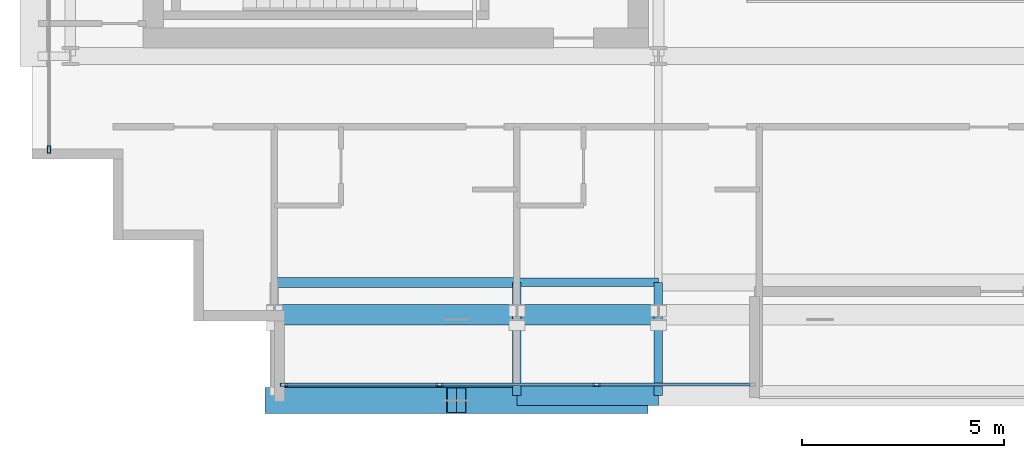
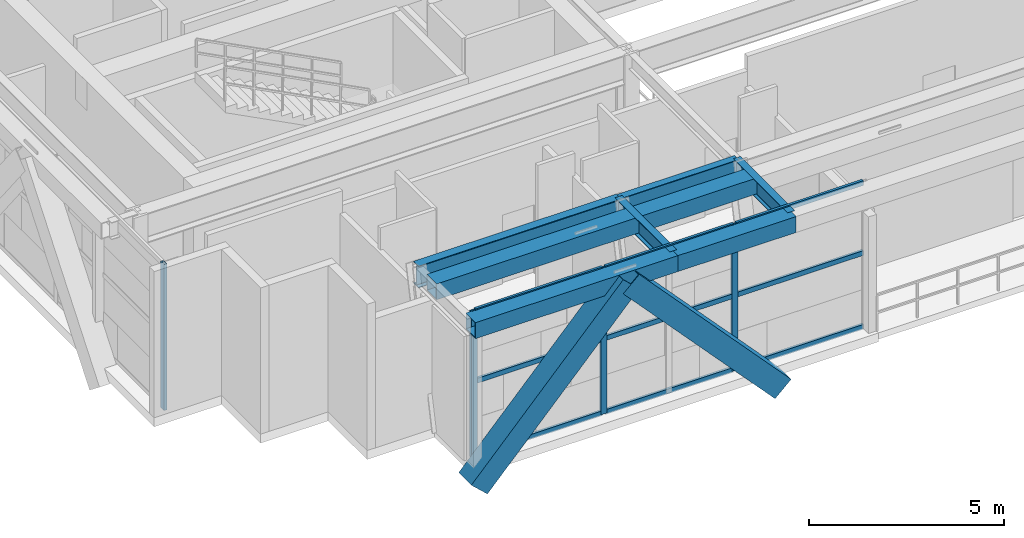
# One storey, part 2 of 31: 15 members, 8 beams, 2 elements without a shape of their own.
"""IFC4 building model written with IfcOpenShell, lengths in metres."""

import ifcopenshell
import ifcopenshell.guid

model = None  # the IFC model being written
_history = None  # IfcOwnerHistory: only IFC2X3 demands one
_inside = {}  # id of a spatial element -> (the spatial element, [elements in it])
_under = {}  # id of a project, library or spatial element -> (it, [spatial elements below it])
_declared = {}  # id of a project -> (the project, [libraries it declares])
_typed = {}  # id of a type object -> (the type object, [elements of that type])
_made_of = {}  # id of a material, layer set ... -> (it, [elements and type objects made of it])


def new_model(schema):
    """Start an empty IFC model of exactly this schema.

    Asked for "IFC4X3", IfcOpenShell would pick the latest addendum, in which some entities
    have other attributes; the version numbers below select the first issue.
    IFC2X3 requires an IfcOwnerHistory on every rooted entity: one is made here for all.
    """
    global model, _history
    if schema == "IFC4X3":
        model = ifcopenshell.file(schema_version=(4, 3, 0, 0))
    else:
        model = ifcopenshell.file(schema=schema)
    _inside.clear()
    _under.clear()
    _declared.clear()
    _typed.clear()
    _made_of.clear()
    _history = None
    if model.schema == "IFC2X3":
        org = make("IfcOrganization", Name="unknown")
        user = make(
            "IfcPersonAndOrganization",
            ThePerson=make("IfcPerson", FamilyName="unknown"),
            TheOrganization=org,
        )
        app = make(
            "IfcApplication",
            ApplicationDeveloper=org,
            Version="unknown",
            ApplicationFullName="unknown",
            ApplicationIdentifier="unknown",
        )
        _history = make(
            "IfcOwnerHistory",
            OwningUser=user,
            OwningApplication=app,
            ChangeAction="ADDED",
            CreationDate=0,
        )
    return model


def make(cls, **values):
    """One entity of the class cls with the attributes given. An attribute that is None is left unset."""
    return model.create_entity(
        cls, **{name: value for name, value in values.items() if value is not None}
    )


def rooted(cls, **values):
    """An entity with a GlobalId (a new one), such as an element, a storey or a relation."""
    return make(cls, GlobalId=ifcopenshell.guid.new(), OwnerHistory=_history, **values)


def si_unit(unit_type, name, prefix=None):
    """IfcSIUnit, for example si_unit("LENGTHUNIT", "METRE", prefix="MILLI")."""
    return make("IfcSIUnit", UnitType=unit_type, Prefix=prefix, Name=name)


def assignment(units):
    """IfcUnitAssignment: the units of a project."""
    return None if units is None else make("IfcUnitAssignment", Units=units)


def point(xyz):
    """IfcCartesianPoint."""
    return None if xyz is None else make("IfcCartesianPoint", Coordinates=xyz)


def direction(xyz):
    """IfcDirection."""
    return None if xyz is None else make("IfcDirection", DirectionRatios=xyz)


def frame(location, z_axis=None, x_axis=None):
    """IfcAxis2Placement3D, a coordinate frame: its origin and axes. An axis left out is left unset."""
    return make(
        "IfcAxis2Placement3D",
        Location=point(location),
        Axis=direction(z_axis),
        RefDirection=direction(x_axis),
    )


def frame_2d(location, x_axis=None):
    """IfcAxis2Placement2D, a coordinate frame in the plane: its origin and x axis."""
    return make(
        "IfcAxis2Placement2D", Location=point(location), RefDirection=direction(x_axis)
    )


def origin():
    """The frame at (0, 0, 0) with its axes left unset."""
    return frame((0.0, 0.0, 0.0))


def origin_2d():
    """The frame at (0, 0) in the plane with its x axis left unset."""
    return frame_2d((0.0, 0.0))


def place(relative_to, where):
    """IfcLocalPlacement: puts the frame where relative to a parent placement (None: the world)."""
    return make(
        "IfcLocalPlacement", PlacementRelTo=relative_to, RelativePlacement=where
    )


def context(
    kind, dimensions, precision=None, world=None, true_north=None, identifier=None
):
    """IfcGeometricRepresentationContext, for example the 3D "Model" context."""
    return make(
        "IfcGeometricRepresentationContext",
        ContextIdentifier=identifier,
        ContextType=kind,
        CoordinateSpaceDimension=dimensions,
        Precision=precision,
        WorldCoordinateSystem=world,
        TrueNorth=true_north,
    )


def subcontext(parent, identifier, kind, view, scale=None):
    """IfcGeometricRepresentationSubContext, for example "Body" below "Model"."""
    return make(
        "IfcGeometricRepresentationSubContext",
        ContextIdentifier=identifier,
        ContextType=kind,
        ParentContext=parent,
        TargetScale=scale,
        TargetView=view,
    )


def project(units=None, contexts=None):
    """IfcProject with its units and contexts."""
    return rooted(
        "IfcProject",
        Name="project",
        RepresentationContexts=contexts,
        UnitsInContext=assignment(units),
    )


def spatial(cls, under=None, at=None, **own):
    """A site, building, storey or space (cls), placed at a placement, below another one or the project."""
    s = rooted(cls, ObjectPlacement=at, **own)
    if under is not None:
        _under.setdefault(under.id(), (under, []))[1].append(s)
    return s


def profile(cls, at=None, kind="AREA", **sizes):
    """A parametric profile (cls). Its sizes go by their IFC names, for example OverallWidth=200.0."""
    return make(cls, ProfileType=kind, Position=at, **sizes)


def hollow_rectangle(**sizes):
    """IfcRectangleHollowProfileDef."""
    return profile("IfcRectangleHollowProfileDef", **sizes)


def i_section(**sizes):
    """IfcIShapeProfileDef."""
    return profile("IfcIShapeProfileDef", **sizes)


def extrude(swept, where, along, depth):
    """IfcExtrudedAreaSolid: the profile swept, set in the frame where, extruded along a direction by depth."""
    return make(
        "IfcExtrudedAreaSolid",
        SweptArea=swept,
        Position=where,
        ExtrudedDirection=direction(along),
        Depth=depth,
    )


def shape(context_of_items, identifier, shape_type, items):
    """IfcShapeRepresentation: the items that make up one representation, for example the "Body"."""
    return make(
        "IfcShapeRepresentation",
        ContextOfItems=context_of_items,
        RepresentationIdentifier=identifier,
        RepresentationType=shape_type,
        Items=items,
    )


def source(mapping_origin, context_of_items, identifier, shape_type, items):
    """IfcRepresentationMap: a shape defined once, which mapped items show again and again."""
    return make(
        "IfcRepresentationMap",
        MappingOrigin=mapping_origin,
        MappedRepresentation=shape(context_of_items, identifier, shape_type, items),
    )


def transform(
    local_origin,
    x_axis=None,
    y_axis=None,
    z_axis=None,
    scale=None,
    scale2=None,
    scale3=None,
    uniform=True,
):
    """IfcCartesianTransformationOperator3D, or its non-uniform kind. x_axis, y_axis, z_axis: its Axis1, 2, 3."""
    if uniform:
        return make(
            "IfcCartesianTransformationOperator3D",
            Axis1=direction(x_axis),
            Axis2=direction(y_axis),
            LocalOrigin=point(local_origin),
            Scale=scale,
            Axis3=direction(z_axis),
        )
    return make(
        "IfcCartesianTransformationOperator3DnonUniform",
        Axis1=direction(x_axis),
        Axis2=direction(y_axis),
        LocalOrigin=point(local_origin),
        Scale=scale,
        Axis3=direction(z_axis),
        Scale2=scale2,
        Scale3=scale3,
    )


def mapped(mapping_source, mapping_target):
    """IfcMappedItem: shows the shape of a source again, moved by a transform."""
    return make(
        "IfcMappedItem", MappingSource=mapping_source, MappingTarget=mapping_target
    )


def material(Name=None, Category=None):
    """IfcMaterial."""
    return make("IfcMaterial", Name=Name, Category=Category)


def layer(
    of_material, thickness, ventilated=None, Name=None, Category=None, Priority=None
):
    """IfcMaterialLayer: one layer of a wall or slab, of a material (None: an air gap)."""
    return make(
        "IfcMaterialLayer",
        Material=of_material,
        LayerThickness=thickness,
        IsVentilated=ventilated,
        Name=Name,
        Category=Category,
        Priority=Priority,
    )


def layer_set(layers, Name=None):
    """IfcMaterialLayerSet."""
    return make("IfcMaterialLayerSet", MaterialLayers=layers, LayerSetName=Name)


def material_profile(
    of_material, cross_section, Name=None, Category=None, Priority=None
):
    """IfcMaterialProfile: a cross section and its material."""
    return make(
        "IfcMaterialProfile",
        Name=Name,
        Material=of_material,
        Profile=cross_section,
        Priority=Priority,
        Category=Category,
    )


def profile_set(profiles, Name=None, composite=None):
    """IfcMaterialProfileSet."""
    return make(
        "IfcMaterialProfileSet",
        Name=Name,
        MaterialProfiles=profiles,
        CompositeProfile=composite,
    )


def made_of(thing, what):
    """Note that an element or type object is made of a material, layer set ...; save() writes the relation."""
    if what is not None:
        _made_of.setdefault(what.id(), (what, []))[1].append(thing)
    return thing


def type_object(cls, material=None, **own):
    """A type object (cls), such as IfcWallType, which elements share."""
    return made_of(rooted(cls, **own), material)


def element(
    cls,
    number,
    at=None,
    inside=None,
    cuts=None,
    type_object=None,
    material=None,
    context=None,
    identifier="Body",
    shape_type=None,
    held_by="IfcProductDefinitionShape",
    body=None,
    shapes=None,
    **own,
):
    """One element of the class cls, such as IfcWall. Its Tag is "e" and its number.

    at: its placement. inside: the storey or other place that contains it. cuts: it is an
    opening in that element (IfcRelVoidsElement). A single representation is given by context,
    identifier, shape_type and body (its items); several are given by shapes. held_by: the class
    of the entity that holds the representations. save() writes the other relations.
    """
    e = rooted(cls, Tag="e%d" % number, ObjectPlacement=at, **own)
    if body is not None:
        shapes = [shape(context, identifier, shape_type, body)]
    if shapes is not None:
        e.Representation = make(held_by, Representations=shapes)
    if inside is not None:
        _inside.setdefault(inside.id(), (inside, []))[1].append(e)
    if cuts is not None:
        rooted(
            "IfcRelVoidsElement", RelatingBuildingElement=cuts, RelatedOpeningElement=e
        )
    if type_object is not None:
        _typed.setdefault(type_object.id(), (type_object, []))[1].append(e)
    return made_of(e, material)


def aggregate(whole, parts):
    """IfcRelAggregates: a whole, such as a stair, and the parts it consists of."""
    return rooted("IfcRelAggregates", RelatingObject=whole, RelatedObjects=parts)


def save(model, path):
    """Write the relations noted so far, then the file.

    IfcRelAggregates (storeys below a building ...), IfcRelContainedInSpatialStructure (elements
    in a storey), IfcRelDefinesByType, IfcRelAssociatesMaterial and IfcRelDeclares: one each for
    every whole, place, type object, material and project.
    """
    for whole, parts in _under.values():
        aggregate(whole, parts)
    for where, things in _inside.values():
        rooted(
            "IfcRelContainedInSpatialStructure",
            RelatedElements=things,
            RelatingStructure=where,
        )
    for kind, things in _typed.values():
        rooted("IfcRelDefinesByType", RelatedObjects=things, RelatingType=kind)
    for what, things in _made_of.values():
        rooted("IfcRelAssociatesMaterial", RelatedObjects=things, RelatingMaterial=what)
    for by, libraries in _declared.values():
        rooted("IfcRelDeclares", RelatingContext=by, RelatedDefinitions=libraries)
    model.write(path)


model = new_model("IFC4")

# Units and contexts
model_context = context("Model", 3, precision=1e-05, world=origin(), true_north=direction((0.0, 1.0)))
body_context = subcontext(model_context, "Body", "Model", "MODEL_VIEW")
ifc_project = project(units=[si_unit("LENGTHUNIT", "METRE"), si_unit("AREAUNIT", "SQUARE_METRE"), si_unit("VOLUMEUNIT", "CUBIC_METRE"), si_unit("PLANEANGLEUNIT", "RADIAN"), si_unit("MASSUNIT", "GRAM", prefix="KILO")], contexts=[model_context])

# Site, building, storey
site_placement = place(None, origin())
site = spatial("IfcSite", under=ifc_project, at=site_placement, CompositionType="ELEMENT")
building_placement = place(site_placement, origin())
building = spatial("IfcBuilding", under=site, at=building_placement, Name="Ocotamira Hotel", CompositionType="ELEMENT")
storey_placement = place(building_placement, frame((0.0, 0.0, 228.0)))
storey = spatial("IfcBuildingStorey", under=building, at=storey_placement, Name="L57", CompositionType="ELEMENT", Elevation=228.0)

# Beams
ifc_material_1 = material(Name="Steel ASTM A992 Grade 50", Category="steel")
ifc_material_profile_1 = material_profile(ifc_material_1, i_section(OverallWidth=0.256103515625, OverallDepth=0.693115234375, WebThickness=0.014404296875, FlangeThickness=0.023681640625, FilletRadius=0.01611328125, at=origin_2d()), Name="W27X114")
ifc_profile_set_1 = profile_set([ifc_material_profile_1], Name="Steel ASTM A992 Grade 50")
beam_type_1 = type_object("IfcBeamType", Name="BM-PRIM-W27X114", PredefinedType="BEAM", material=ifc_profile_set_1)
shared_shape_1 = source(origin(), body_context, "Body", "SweptSolid", [
    extrude(i_section(OverallWidth=0.256103515625, OverallDepth=0.693115234375, WebThickness=0.014404296875, FlangeThickness=0.023681640625, FilletRadius=0.01611328125, at=origin_2d()), origin(), (0.0, 0.0, 1.0), 6.0),
])
beam_1_placement = place(storey_placement, frame((14.0, 8.949951171875, 4.2333984375), z_axis=(1.0, 0.0, 0.0), x_axis=(0.0, 1.0, 0.0)))
element("IfcBeam", 1, at=beam_1_placement, inside=storey, type_object=beam_type_1, Name="L57 Girder Y8.95 X14-20", PredefinedType="BEAM", context=body_context, shape_type="MappedRepresentation", body=[
    mapped(shared_shape_1, transform((0.0, 0.0, 0.0), scale=1.0)),
])
ifc_material_profile_2 = material_profile(ifc_material_1, i_section(OverallWidth=0.2099609375, OverallDepth=0.537109375, WebThickness=0.010986328125, FlangeThickness=0.017333984375, FilletRadius=0.012939453125, at=origin_2d()), Name="W21X68")
ifc_profile_set_2 = profile_set([ifc_material_profile_2], Name="Steel ASTM A992 Grade 50")
beam_type_2 = type_object("IfcBeamType", Name="BM-SEC-W21X68", PredefinedType="JOIST", material=ifc_profile_set_2)
shared_shape_2 = source(origin(), body_context, "Body", "SweptSolid", [
    extrude(i_section(OverallWidth=0.2099609375, OverallDepth=0.537109375, WebThickness=0.010986328125, FlangeThickness=0.017333984375, FilletRadius=0.012939453125, at=origin_2d()), origin(), (0.0, 0.0, 1.0), 3.5),
])
beam_2_placement = place(storey_placement, frame((20.0, 8.949951171875, 4.3115234375), z_axis=(1.0, 0.0, 0.0), x_axis=(0.0, 1.0, 0.0)))
element("IfcBeam", 2, at=beam_2_placement, inside=storey, type_object=beam_type_2, Name="L57 Girder Y8.95 X20-23.5", PredefinedType="JOIST", context=body_context, shape_type="MappedRepresentation", body=[
    mapped(shared_shape_2, transform((0.0, 0.0, 0.0), scale=1.0)),
])
ifc_material_2 = material(Name="Steel ASTM A500 Grade C", Category="steel")
ifc_material_profile_3 = material_profile(ifc_material_2, hollow_rectangle(XDim=0.5, YDim=0.5, WallThickness=0.02001953125, at=origin_2d()), Name="HSS500X500X20")
ifc_profile_set_3 = profile_set([ifc_material_profile_3], Name="Steel ASTM A500 Grade C")
beam_type_3 = type_object("IfcBeamType", Name="BM-SPAN-HSS500", PredefinedType="USERDEFINED", material=ifc_profile_set_3)
shared_shape_3 = source(origin(), body_context, "Body", "SweptSolid", [
    extrude(hollow_rectangle(XDim=0.5, YDim=0.5, WallThickness=0.02001953125, at=origin_2d()), origin(), (0.0, 0.0, 1.0), 6.0),
])
for number, where, z_axis, x_axis, name in (
    (3, (14.0, 8.14990234375, 4.330078125), (1.0, 0.0, 0.0), (0.0, 1.0, 0.0), "L57 Inner Setback Spandrel S X14"),
    (4, (14.0, 6.14990234375, 4.330078125), (1.0, 0.0, 0.0), (0.0, 1.0, 0.0), "L57 Edge Spandrel S X14-20"),
):
    element("IfcBeam", number, at=place(storey_placement, frame(where, z_axis=z_axis, x_axis=x_axis)), inside=storey, type_object=beam_type_3, Name=name, ObjectType="SPANDREL", PredefinedType="USERDEFINED", context=body_context, shape_type="MappedRepresentation", body=[
        mapped(shared_shape_3, transform((0.0, 0.0, 0.0), scale=1.0)),
    ])
shared_shape_4 = source(origin(), body_context, "Body", "SweptSolid", [
    extrude(hollow_rectangle(XDim=0.5, YDim=0.5, WallThickness=0.02001953125, at=origin_2d()), origin(), (0.0, 0.0, 1.0), 3.5),
])
for number, where, z_axis, x_axis, name in (
    (5, (20.0, 8.14990234375, 4.330078125), (1.0, 0.0, 0.0), (0.0, 1.0, 0.0), "L57 Inner Setback Spandrel S X20"),
    (6, (20.0, 6.14990234375, 4.330078125), (1.0, 0.0, 0.0), (0.0, 1.0, 0.0), "L57 Edge Spandrel S X20-23.5"),
):
    element("IfcBeam", number, at=place(storey_placement, frame(where, z_axis=z_axis, x_axis=x_axis)), inside=storey, type_object=beam_type_3, Name=name, ObjectType="SPANDREL", PredefinedType="USERDEFINED", context=body_context, shape_type="MappedRepresentation", body=[
        mapped(shared_shape_4, transform((0.0, 0.0, 0.0), scale=1.0)),
    ])
shared_shape_5 = source(origin(), body_context, "Body", "SweptSolid", [
    extrude(i_section(OverallWidth=0.2099609375, OverallDepth=0.537109375, WebThickness=0.010986328125, FlangeThickness=0.017333984375, FilletRadius=0.012939453125, at=origin_2d()), origin(), (0.0, 0.0, 1.0), 2.800048828125),
])
for number, where, z_axis, x_axis, name in (
    (7, (20.0, 8.949951171875, 4.3115234375), (0.0, -1.0, 0.0), (1.0, 0.0, 0.0), "L57 South Edge Header X20"),
    (8, (23.5, 8.949951171875, 4.3115234375), (0.0, -1.0, 0.0), (1.0, 0.0, 0.0), "L57 South Edge Header X23.5"),
):
    element("IfcBeam", number, at=place(storey_placement, frame(where, z_axis=z_axis, x_axis=x_axis)), inside=storey, type_object=beam_type_2, Name=name, PredefinedType="JOIST", context=body_context, shape_type="MappedRepresentation", body=[
        mapped(shared_shape_5, transform((0.0, 0.0, 0.0), scale=1.0)),
    ])

# Members
ifc_material_3 = material(Name="Pale-metal coated steel ASTM A913 Grade 65", Category="steel")
ifc_material_profile_4 = material_profile(ifc_material_3, hollow_rectangle(XDim=0.64990234375, YDim=0.64990234375, WallThickness=0.02197265625, at=origin_2d()), Name="BOX650X650X22")
ifc_profile_set_4 = profile_set([ifc_material_profile_4], Name="Pale-metal coated steel ASTM A913 Grade 65")
member_type_1 = type_object("IfcMemberType", Name="MEM-EXO-BOX650", PredefinedType="BRACE", material=ifc_profile_set_4)
shared_shape_6 = source(origin(), body_context, "Body", "SweptSolid", [
    extrude(hollow_rectangle(XDim=0.64990234375, YDim=0.64990234375, WallThickness=0.02197265625, at=origin_2d()), origin(), (0.0, 0.0, 1.0), 6.62353515625),
])
for number, where, z_axis, x_axis, name in (
    (9, (14.0, 6.030029296875, -0.530029296875), (0.679399946256, 0.0, 0.733768160271), (0.0, 1.0, 0.0), "L57 Exoskeleton Diagrid S0.1"),
    (10, (23.0, 6.030029296875, -0.530029296875), (-0.679399946256, 0.0, 0.733768160271), (0.0, -1.0, 0.0), "L57 Exoskeleton Diagrid S0.2"),
):
    element("IfcMember", number, at=place(storey_placement, frame(where, z_axis=z_axis, x_axis=x_axis)), inside=storey, type_object=member_type_1, Name=name, PredefinedType="BRACE", context=body_context, shape_type="MappedRepresentation", body=[
        mapped(shared_shape_6, transform((0.0, 0.0, 0.0), scale=1.0)),
    ])

# Curtain wall, members
ifc_material_4 = material(Name="Anodised pale-metal aluminium and solar glass", Category="aluminium")
ifc_layer = layer(ifc_material_4, 0.239990234375)
ifc_layer_set = layer_set([ifc_layer], Name="Anodised pale-metal aluminium and solar glass")
curtain_wall_type = type_object("IfcCurtainWallType", Name="CW-SYS5-SKY", PredefinedType="NOTDEFINED", material=ifc_layer_set)
curtain_wall_1_placement = place(storey_placement, origin())
curtain_wall_1 = element("IfcCurtainWall", 11, at=curtain_wall_1_placement, inside=storey, type_object=curtain_wall_type, Name="L57 Curtain Wall CW-5 CW-L57-S1", PredefinedType="NOTDEFINED")
ifc_material_5 = material(Name="Anodised pale-metal aluminium 6063-T6", Category="aluminium")
ifc_material_profile_5 = material_profile(ifc_material_5, hollow_rectangle(XDim=0.074951171875, YDim=0.14990234375, WallThickness=0.006103515625, at=origin_2d()), Name="HSS150X75X6")
ifc_profile_set_5 = profile_set([ifc_material_profile_5], Name="Anodised pale-metal aluminium 6063-T6")
member_type_2 = type_object("IfcMemberType", Name="CWT-150X75", PredefinedType="USERDEFINED", material=ifc_profile_set_5)
shared_shape_7 = source(origin(), body_context, "Body", "SweptSolid", [
    extrude(hollow_rectangle(XDim=0.074951171875, YDim=0.14990234375, WallThickness=0.006103515625, at=origin_2d()), origin(), (0.0, 0.0, 1.0), 3.76318359375),
])
member_1_placement = place(storey_placement, frame((14.280029296875, 6.419921875, 0.03759765625), z_axis=(1.0, 0.0, 0.0), x_axis=(0.0, 1.0, 0.0)))
member_1 = element("IfcMember", 12, at=member_1_placement, type_object=member_type_2, Name="CW-5 transom 1.1", ObjectType="TRANSOM", PredefinedType="USERDEFINED", context=body_context, shape_type="MappedRepresentation", body=[
    mapped(shared_shape_7, transform((0.0, 0.0, 0.0), scale=1.0)),
])
member_2_placement = place(storey_placement, frame((14.280029296875, 6.419921875, 2.35009765625), z_axis=(1.0, 0.0, 0.0), x_axis=(0.0, 1.0, 0.0)))
member_2 = element("IfcMember", 13, at=member_2_placement, type_object=member_type_2, Name="CW-5 transom 1.2", ObjectType="TRANSOM", PredefinedType="USERDEFINED", context=body_context, shape_type="MappedRepresentation", body=[
    mapped(shared_shape_7, transform((0.0, 0.0, 0.0), scale=1.0)),
])
member_3_placement = place(storey_placement, frame((14.280029296875, 6.419921875, 4.54248046875), z_axis=(1.0, 0.0, 0.0), x_axis=(0.0, 1.0, 0.0)))
member_3 = element("IfcMember", 14, at=member_3_placement, type_object=member_type_2, Name="CW-5 transom 1.3", ObjectType="TRANSOM", PredefinedType="USERDEFINED", context=body_context, shape_type="MappedRepresentation", body=[
    mapped(shared_shape_7, transform((0.0, 0.0, 0.0), scale=1.0)),
])
shared_shape_8 = source(origin(), body_context, "Body", "SweptSolid", [
    extrude(hollow_rectangle(XDim=0.074951171875, YDim=0.14990234375, WallThickness=0.006103515625, at=origin_2d()), origin(), (0.0, 0.0, 1.0), 3.803466796875),
])
member_4_placement = place(storey_placement, frame((18.123291015625, 6.419921875, 0.03759765625), z_axis=(1.0, 0.0, 0.0), x_axis=(0.0, 1.0, 0.0)))
member_4 = element("IfcMember", 15, at=member_4_placement, type_object=member_type_2, Name="CW-5 transom 2.1", ObjectType="TRANSOM", PredefinedType="USERDEFINED", context=body_context, shape_type="MappedRepresentation", body=[
    mapped(shared_shape_8, transform((0.0, 0.0, 0.0), scale=1.0)),
])
member_5_placement = place(storey_placement, frame((18.123291015625, 6.419921875, 2.35009765625), z_axis=(1.0, 0.0, 0.0), x_axis=(0.0, 1.0, 0.0)))
member_5 = element("IfcMember", 16, at=member_5_placement, type_object=member_type_2, Name="CW-5 transom 2.2", ObjectType="TRANSOM", PredefinedType="USERDEFINED", context=body_context, shape_type="MappedRepresentation", body=[
    mapped(shared_shape_8, transform((0.0, 0.0, 0.0), scale=1.0)),
])
member_6_placement = place(storey_placement, frame((18.123291015625, 6.419921875, 4.54248046875), z_axis=(1.0, 0.0, 0.0), x_axis=(0.0, 1.0, 0.0)))
member_6 = element("IfcMember", 17, at=member_6_placement, type_object=member_type_2, Name="CW-5 transom 2.3", ObjectType="TRANSOM", PredefinedType="USERDEFINED", context=body_context, shape_type="MappedRepresentation", body=[
    mapped(shared_shape_8, transform((0.0, 0.0, 0.0), scale=1.0)),
])
shared_shape_9 = source(origin(), body_context, "Body", "SweptSolid", [
    extrude(hollow_rectangle(XDim=0.074951171875, YDim=0.14990234375, WallThickness=0.006103515625, at=origin_2d()), origin(), (0.0, 0.0, 1.0), 3.763427734375),
])
member_7_placement = place(storey_placement, frame((22.006591796875, 6.419921875, 0.03759765625), z_axis=(1.0, 0.0, 0.0), x_axis=(0.0, 1.0, 0.0)))
member_7 = element("IfcMember", 18, at=member_7_placement, type_object=member_type_2, Name="CW-5 transom 3.1", ObjectType="TRANSOM", PredefinedType="USERDEFINED", context=body_context, shape_type="MappedRepresentation", body=[
    mapped(shared_shape_9, transform((0.0, 0.0, 0.0), scale=1.0)),
])
member_8_placement = place(storey_placement, frame((22.006591796875, 6.419921875, 2.35009765625), z_axis=(1.0, 0.0, 0.0), x_axis=(0.0, 1.0, 0.0)))
member_8 = element("IfcMember", 19, at=member_8_placement, type_object=member_type_2, Name="CW-5 transom 3.2", ObjectType="TRANSOM", PredefinedType="USERDEFINED", context=body_context, shape_type="MappedRepresentation", body=[
    mapped(shared_shape_9, transform((0.0, 0.0, 0.0), scale=1.0)),
])
member_9_placement = place(storey_placement, frame((22.006591796875, 6.419921875, 4.54248046875), z_axis=(1.0, 0.0, 0.0), x_axis=(0.0, 1.0, 0.0)))
member_9 = element("IfcMember", 20, at=member_9_placement, type_object=member_type_2, Name="CW-5 transom 3.3", ObjectType="TRANSOM", PredefinedType="USERDEFINED", context=body_context, shape_type="MappedRepresentation", body=[
    mapped(shared_shape_9, transform((0.0, 0.0, 0.0), scale=1.0)),
])
ifc_material_profile_6 = material_profile(ifc_material_5, hollow_rectangle(XDim=0.080078125, YDim=0.179931640625, WallThickness=0.006103515625, at=origin_2d()), Name="HSS180X80X6")
ifc_profile_set_6 = profile_set([ifc_material_profile_6], Name="Anodised pale-metal aluminium 6063-T6")
member_type_3 = type_object("IfcMemberType", Name="CWM-180X75", PredefinedType="MULLION", material=ifc_profile_set_6)
shared_shape_10 = source(origin(), body_context, "Body", "SweptSolid", [
    extrude(hollow_rectangle(XDim=0.080078125, YDim=0.179931640625, WallThickness=0.006103515625, at=origin_2d()), origin(), (0.0, 0.0, 1.0), 4.580078125),
])
member_10_placement = place(storey_placement, frame((14.239990234375, 6.419921875, 0.0), z_axis=(0.0, 0.0, 1.0), x_axis=(0.0, 1.0, 0.0)))
member_10 = element("IfcMember", 21, at=member_10_placement, type_object=member_type_3, Name="CW-5 mullion 1", PredefinedType="MULLION", context=body_context, shape_type="MappedRepresentation", body=[
    mapped(shared_shape_10, transform((0.0, 0.0, 0.0), scale=1.0)),
])
member_11_placement = place(storey_placement, frame((18.083251953125, 6.419921875, 0.0), z_axis=(0.0, 0.0, 1.0), x_axis=(0.0, 1.0, 0.0)))
member_11 = element("IfcMember", 22, at=member_11_placement, type_object=member_type_3, Name="CW-5 mullion 2", PredefinedType="MULLION", context=body_context, shape_type="MappedRepresentation", body=[
    mapped(shared_shape_10, transform((0.0, 0.0, 0.0), scale=1.0)),
])
member_12_placement = place(storey_placement, frame((21.966552734375, 6.419921875, 0.0), z_axis=(0.0, 0.0, 1.0), x_axis=(0.0, 1.0, 0.0)))
member_12 = element("IfcMember", 23, at=member_12_placement, type_object=member_type_3, Name="CW-5 mullion 3", PredefinedType="MULLION", context=body_context, shape_type="MappedRepresentation", body=[
    mapped(shared_shape_10, transform((0.0, 0.0, 0.0), scale=1.0)),
])
aggregate(curtain_wall_1, [member_10, member_11, member_12, member_1, member_2, member_3, member_4, member_5, member_6, member_7, member_8, member_9])

# Curtain wall, member
curtain_wall_2_placement = place(storey_placement, origin())
curtain_wall_2 = element("IfcCurtainWall", 24, at=curtain_wall_2_placement, inside=storey, type_object=curtain_wall_type, Name="L57 Curtain Wall CW-5 CW-L57-W", PredefinedType="NOTDEFINED")
member_13_placement = place(storey_placement, frame((8.419921875, 12.239990234375, 0.0), z_axis=(0.0, 0.0, 1.0), x_axis=(-1.0, 0.0, 0.0)))
member_13 = element("IfcMember", 25, at=member_13_placement, type_object=member_type_3, Name="CW-5 mullion 1", PredefinedType="MULLION", context=body_context, shape_type="MappedRepresentation", body=[
    mapped(shared_shape_10, transform((0.0, 0.0, 0.0), scale=1.0)),
])
aggregate(curtain_wall_2, [member_13])

save(model, "model.ifc")
